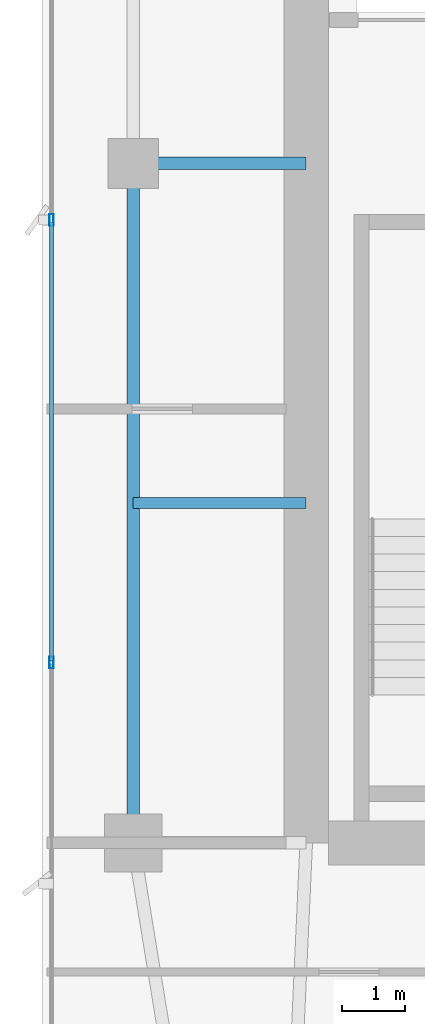
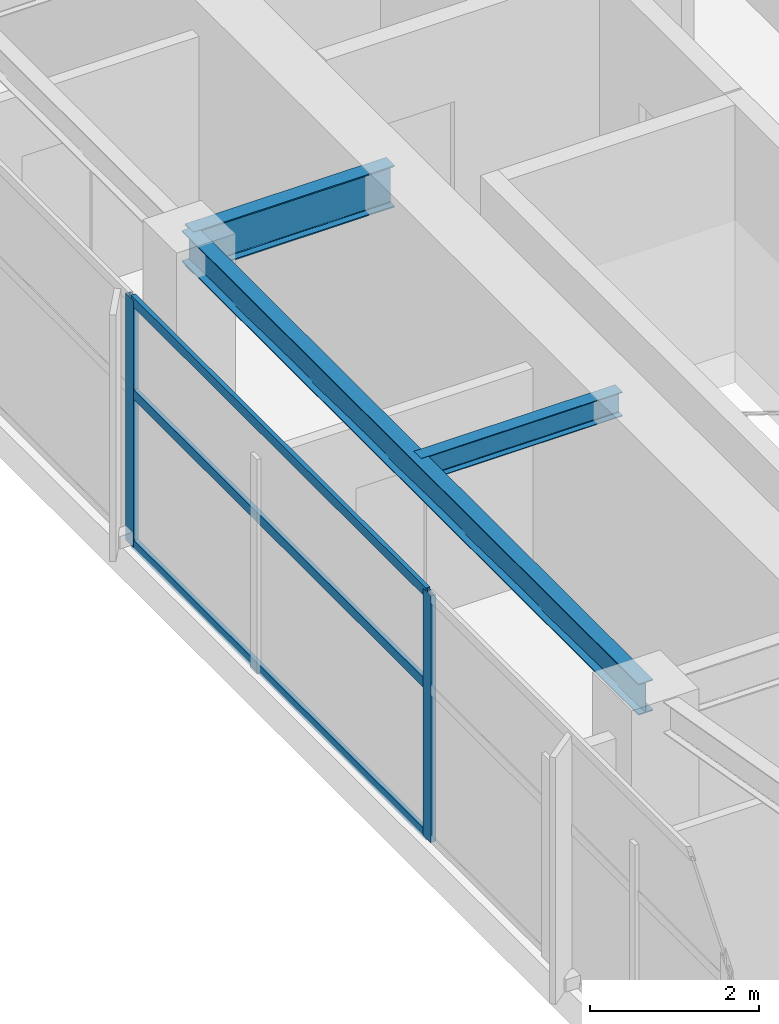
# One storey, part 8 of 29: 5 members, 3 beams, 1 element without a shape of its own.
"""IFC4 building model written with IfcOpenShell, lengths in metres."""

import ifcopenshell
import ifcopenshell.guid

model = None  # the IFC model being written
_history = None  # IfcOwnerHistory: only IFC2X3 demands one
_inside = {}  # id of a spatial element -> (the spatial element, [elements in it])
_under = {}  # id of a project, library or spatial element -> (it, [spatial elements below it])
_declared = {}  # id of a project -> (the project, [libraries it declares])
_typed = {}  # id of a type object -> (the type object, [elements of that type])
_made_of = {}  # id of a material, layer set ... -> (it, [elements and type objects made of it])


def new_model(schema):
    """Start an empty IFC model of exactly this schema.

    Asked for "IFC4X3", IfcOpenShell would pick the latest addendum, in which some entities
    have other attributes; the version numbers below select the first issue.
    IFC2X3 requires an IfcOwnerHistory on every rooted entity: one is made here for all.
    """
    global model, _history
    if schema == "IFC4X3":
        model = ifcopenshell.file(schema_version=(4, 3, 0, 0))
    else:
        model = ifcopenshell.file(schema=schema)
    _inside.clear()
    _under.clear()
    _declared.clear()
    _typed.clear()
    _made_of.clear()
    _history = None
    if model.schema == "IFC2X3":
        org = make("IfcOrganization", Name="unknown")
        user = make(
            "IfcPersonAndOrganization",
            ThePerson=make("IfcPerson", FamilyName="unknown"),
            TheOrganization=org,
        )
        app = make(
            "IfcApplication",
            ApplicationDeveloper=org,
            Version="unknown",
            ApplicationFullName="unknown",
            ApplicationIdentifier="unknown",
        )
        _history = make(
            "IfcOwnerHistory",
            OwningUser=user,
            OwningApplication=app,
            ChangeAction="ADDED",
            CreationDate=0,
        )
    return model


def make(cls, **values):
    """One entity of the class cls with the attributes given. An attribute that is None is left unset."""
    return model.create_entity(
        cls, **{name: value for name, value in values.items() if value is not None}
    )


def rooted(cls, **values):
    """An entity with a GlobalId (a new one), such as an element, a storey or a relation."""
    return make(cls, GlobalId=ifcopenshell.guid.new(), OwnerHistory=_history, **values)


def si_unit(unit_type, name, prefix=None):
    """IfcSIUnit, for example si_unit("LENGTHUNIT", "METRE", prefix="MILLI")."""
    return make("IfcSIUnit", UnitType=unit_type, Prefix=prefix, Name=name)


def assignment(units):
    """IfcUnitAssignment: the units of a project."""
    return None if units is None else make("IfcUnitAssignment", Units=units)


def point(xyz):
    """IfcCartesianPoint."""
    return None if xyz is None else make("IfcCartesianPoint", Coordinates=xyz)


def direction(xyz):
    """IfcDirection."""
    return None if xyz is None else make("IfcDirection", DirectionRatios=xyz)


def frame(location, z_axis=None, x_axis=None):
    """IfcAxis2Placement3D, a coordinate frame: its origin and axes. An axis left out is left unset."""
    return make(
        "IfcAxis2Placement3D",
        Location=point(location),
        Axis=direction(z_axis),
        RefDirection=direction(x_axis),
    )


def frame_2d(location, x_axis=None):
    """IfcAxis2Placement2D, a coordinate frame in the plane: its origin and x axis."""
    return make(
        "IfcAxis2Placement2D", Location=point(location), RefDirection=direction(x_axis)
    )


def origin():
    """The frame at (0, 0, 0) with its axes left unset."""
    return frame((0.0, 0.0, 0.0))


def origin_2d():
    """The frame at (0, 0) in the plane with its x axis left unset."""
    return frame_2d((0.0, 0.0))


def place(relative_to, where):
    """IfcLocalPlacement: puts the frame where relative to a parent placement (None: the world)."""
    return make(
        "IfcLocalPlacement", PlacementRelTo=relative_to, RelativePlacement=where
    )


def context(
    kind, dimensions, precision=None, world=None, true_north=None, identifier=None
):
    """IfcGeometricRepresentationContext, for example the 3D "Model" context."""
    return make(
        "IfcGeometricRepresentationContext",
        ContextIdentifier=identifier,
        ContextType=kind,
        CoordinateSpaceDimension=dimensions,
        Precision=precision,
        WorldCoordinateSystem=world,
        TrueNorth=true_north,
    )


def subcontext(parent, identifier, kind, view, scale=None):
    """IfcGeometricRepresentationSubContext, for example "Body" below "Model"."""
    return make(
        "IfcGeometricRepresentationSubContext",
        ContextIdentifier=identifier,
        ContextType=kind,
        ParentContext=parent,
        TargetScale=scale,
        TargetView=view,
    )


def project(units=None, contexts=None):
    """IfcProject with its units and contexts."""
    return rooted(
        "IfcProject",
        Name="project",
        RepresentationContexts=contexts,
        UnitsInContext=assignment(units),
    )


def spatial(cls, under=None, at=None, **own):
    """A site, building, storey or space (cls), placed at a placement, below another one or the project."""
    s = rooted(cls, ObjectPlacement=at, **own)
    if under is not None:
        _under.setdefault(under.id(), (under, []))[1].append(s)
    return s


def profile(cls, at=None, kind="AREA", **sizes):
    """A parametric profile (cls). Its sizes go by their IFC names, for example OverallWidth=200.0."""
    return make(cls, ProfileType=kind, Position=at, **sizes)


def hollow_rectangle(**sizes):
    """IfcRectangleHollowProfileDef."""
    return profile("IfcRectangleHollowProfileDef", **sizes)


def i_section(**sizes):
    """IfcIShapeProfileDef."""
    return profile("IfcIShapeProfileDef", **sizes)


def extrude(swept, where, along, depth):
    """IfcExtrudedAreaSolid: the profile swept, set in the frame where, extruded along a direction by depth."""
    return make(
        "IfcExtrudedAreaSolid",
        SweptArea=swept,
        Position=where,
        ExtrudedDirection=direction(along),
        Depth=depth,
    )


def shape(context_of_items, identifier, shape_type, items):
    """IfcShapeRepresentation: the items that make up one representation, for example the "Body"."""
    return make(
        "IfcShapeRepresentation",
        ContextOfItems=context_of_items,
        RepresentationIdentifier=identifier,
        RepresentationType=shape_type,
        Items=items,
    )


def material(Name=None, Category=None):
    """IfcMaterial."""
    return make("IfcMaterial", Name=Name, Category=Category)


def layer(
    of_material, thickness, ventilated=None, Name=None, Category=None, Priority=None
):
    """IfcMaterialLayer: one layer of a wall or slab, of a material (None: an air gap)."""
    return make(
        "IfcMaterialLayer",
        Material=of_material,
        LayerThickness=thickness,
        IsVentilated=ventilated,
        Name=Name,
        Category=Category,
        Priority=Priority,
    )


def layer_set(layers, Name=None):
    """IfcMaterialLayerSet."""
    return make("IfcMaterialLayerSet", MaterialLayers=layers, LayerSetName=Name)


def material_profile(
    of_material, cross_section, Name=None, Category=None, Priority=None
):
    """IfcMaterialProfile: a cross section and its material."""
    return make(
        "IfcMaterialProfile",
        Name=Name,
        Material=of_material,
        Profile=cross_section,
        Priority=Priority,
        Category=Category,
    )


def profile_set(profiles, Name=None, composite=None):
    """IfcMaterialProfileSet."""
    return make(
        "IfcMaterialProfileSet",
        Name=Name,
        MaterialProfiles=profiles,
        CompositeProfile=composite,
    )


def made_of(thing, what):
    """Note that an element or type object is made of a material, layer set ...; save() writes the relation."""
    if what is not None:
        _made_of.setdefault(what.id(), (what, []))[1].append(thing)
    return thing


def type_object(cls, material=None, **own):
    """A type object (cls), such as IfcWallType, which elements share."""
    return made_of(rooted(cls, **own), material)


def element(
    cls,
    number,
    at=None,
    inside=None,
    cuts=None,
    type_object=None,
    material=None,
    context=None,
    identifier="Body",
    shape_type=None,
    held_by="IfcProductDefinitionShape",
    body=None,
    shapes=None,
    **own,
):
    """One element of the class cls, such as IfcWall. Its Tag is "e" and its number.

    at: its placement. inside: the storey or other place that contains it. cuts: it is an
    opening in that element (IfcRelVoidsElement). A single representation is given by context,
    identifier, shape_type and body (its items); several are given by shapes. held_by: the class
    of the entity that holds the representations. save() writes the other relations.
    """
    e = rooted(cls, Tag="e%d" % number, ObjectPlacement=at, **own)
    if body is not None:
        shapes = [shape(context, identifier, shape_type, body)]
    if shapes is not None:
        e.Representation = make(held_by, Representations=shapes)
    if inside is not None:
        _inside.setdefault(inside.id(), (inside, []))[1].append(e)
    if cuts is not None:
        rooted(
            "IfcRelVoidsElement", RelatingBuildingElement=cuts, RelatedOpeningElement=e
        )
    if type_object is not None:
        _typed.setdefault(type_object.id(), (type_object, []))[1].append(e)
    return made_of(e, material)


def aggregate(whole, parts):
    """IfcRelAggregates: a whole, such as a stair, and the parts it consists of."""
    return rooted("IfcRelAggregates", RelatingObject=whole, RelatedObjects=parts)


def save(model, path):
    """Write the relations noted so far, then the file.

    IfcRelAggregates (storeys below a building ...), IfcRelContainedInSpatialStructure (elements
    in a storey), IfcRelDefinesByType, IfcRelAssociatesMaterial and IfcRelDeclares: one each for
    every whole, place, type object, material and project.
    """
    for whole, parts in _under.values():
        aggregate(whole, parts)
    for where, things in _inside.values():
        rooted(
            "IfcRelContainedInSpatialStructure",
            RelatedElements=things,
            RelatingStructure=where,
        )
    for kind, things in _typed.values():
        rooted("IfcRelDefinesByType", RelatedObjects=things, RelatingType=kind)
    for what, things in _made_of.values():
        rooted("IfcRelAssociatesMaterial", RelatedObjects=things, RelatingMaterial=what)
    for by, libraries in _declared.values():
        rooted("IfcRelDeclares", RelatingContext=by, RelatedDefinitions=libraries)
    model.write(path)


model = new_model("IFC4")

# Units and contexts
model_context = context("Model", 3, precision=1e-05, world=origin(), true_north=direction((0.0, 1.0)))
body_context = subcontext(model_context, "Body", "Model", "MODEL_VIEW")
ifc_project = project(units=[si_unit("LENGTHUNIT", "METRE"), si_unit("AREAUNIT", "SQUARE_METRE"), si_unit("VOLUMEUNIT", "CUBIC_METRE"), si_unit("PLANEANGLEUNIT", "RADIAN"), si_unit("MASSUNIT", "GRAM", prefix="KILO")], contexts=[model_context])

# Site, building, storey
site_placement = place(None, origin())
site = spatial("IfcSite", under=ifc_project, at=site_placement, CompositionType="ELEMENT")
building_placement = place(site_placement, origin())
building = spatial("IfcBuilding", under=site, at=building_placement, Name="Calvorn Quay Hotel", CompositionType="ELEMENT")
storey_placement = place(building_placement, frame((0.0, 0.0, 199.60009765625)))
storey = spatial("IfcBuildingStorey", under=building, at=storey_placement, Name="L49", CompositionType="ELEMENT", Elevation=199.60009765625)

# Beams
ifc_material_1 = material(Name="Steel Q355B", Category="steel")
ifc_material_profile_1 = material_profile(ifc_material_1, i_section(OverallWidth=0.199951171875, OverallDepth=0.60009765625, WebThickness=0.010986328125, FlangeThickness=0.01708984375, FilletRadius=0.01806640625, at=origin_2d()), Name="HN600x200x11x17")
ifc_profile_set_1 = profile_set([ifc_material_profile_1], Name="Steel Q355B")
beam_type_1 = type_object("IfcBeamType", Name="BM-GIRD-TYP", PredefinedType="BEAM", material=ifc_profile_set_1)
beam_1_placement = place(storey_placement, frame((1.449951171875, 27.60009765625, 3.239990234375), z_axis=(1.0, 0.0, 0.0), x_axis=(0.0, 1.0, 0.0)))
element("IfcBeam", 1, at=beam_1_placement, inside=storey, type_object=beam_type_1, Name="Beam BG-L49-W2", PredefinedType="BEAM", context=body_context, shape_type="SweptSolid", body=[
    extrude(i_section(OverallWidth=0.199951171875, OverallDepth=0.60009765625, WebThickness=0.010986328125, FlangeThickness=0.01708984375, FilletRadius=0.01806640625, at=origin_2d()), origin(), (0.0, 0.0, 1.0), 2.75),
])
ifc_material_2 = material(Name="Steel Q355B", Category="steel")
ifc_material_profile_2 = material_profile(ifc_material_2, i_section(OverallWidth=0.175048828125, OverallDepth=0.35009765625, WebThickness=0.007080078125, FlangeThickness=0.010986328125, FilletRadius=0.013916015625, at=origin_2d()), Name="HN350x175x7x11")
ifc_profile_set_2 = profile_set([ifc_material_profile_2], Name="Steel Q355B")
beam_type_2 = type_object("IfcBeamType", Name="BM-JOIST-SEC", PredefinedType="JOIST", material=ifc_profile_set_2)
beam_2_placement = place(storey_placement, frame((1.449951171875, 22.199951171875, 3.364990234375), z_axis=(1.0, 0.0, 0.0), x_axis=(0.0, 1.0, 0.0)))
element("IfcBeam", 2, at=beam_2_placement, inside=storey, type_object=beam_type_2, Name="Beam BJ-L49-W3", PredefinedType="JOIST", context=body_context, shape_type="SweptSolid", body=[
    extrude(i_section(OverallWidth=0.175048828125, OverallDepth=0.35009765625, WebThickness=0.007080078125, FlangeThickness=0.010986328125, FilletRadius=0.013916015625, at=origin_2d()), origin(), (0.0, 0.0, 1.0), 2.75),
])
ifc_material_3 = material(Name="Steel Q355B", Category="steel")
ifc_material_profile_3 = material_profile(ifc_material_3, i_section(OverallWidth=0.199951171875, OverallDepth=0.449951171875, WebThickness=0.009033203125, FlangeThickness=0.013916015625, FilletRadius=0.01611328125, at=origin_2d()), Name="HN450x200x9x14")
ifc_profile_set_3 = profile_set([ifc_material_profile_3], Name="Steel Q355B")
beam_type_3 = type_object("IfcBeamType", Name="BM-SPANDREL-Z3", PredefinedType="SPANDREL", material=ifc_profile_set_3)
beam_3_placement = place(storey_placement, frame((1.449951171875, 16.800048828125, 3.31494140625), z_axis=(0.0, 1.0, 0.0), x_axis=(-1.0, 0.0, 0.0)))
element("IfcBeam", 3, at=beam_3_placement, inside=storey, type_object=beam_type_3, Name="Beam BSP-L49-W2", PredefinedType="SPANDREL", context=body_context, shape_type="SweptSolid", body=[
    extrude(i_section(OverallWidth=0.199951171875, OverallDepth=0.449951171875, WebThickness=0.009033203125, FlangeThickness=0.013916015625, FilletRadius=0.01611328125, at=origin_2d()), origin(), (0.0, 0.0, 1.0), 10.800048828125),
])

# Curtain wall, members
ifc_material_4 = material(Name="Champagne Bronze Anodised Aluminium and Low-E Glass", Category="aluminium")
ifc_layer = layer(ifc_material_4, 0.219970703125)
ifc_layer_set = layer_set([ifc_layer], Name="CW-SYS-Z3")
curtain_wall_type = type_object("IfcCurtainWallType", Name="CW-SYS-Z3", PredefinedType="NOTDEFINED", material=ifc_layer_set)
curtain_wall_placement = place(storey_placement, origin())
curtain_wall = element("IfcCurtainWall", 4, at=curtain_wall_placement, inside=storey, type_object=curtain_wall_type, Name="Tower West Curtain Wall (L49)", PredefinedType="NOTDEFINED")
ifc_material_5 = material(Name="Champagne Bronze Anodised Aluminium 6063-T6", Category="aluminium")
ifc_material_profile_4 = material_profile(ifc_material_5, hollow_rectangle(XDim=0.068115234375, YDim=0.18505859375, WallThickness=0.00390625, at=origin_2d()), Name="ALU-M185x68x4")
ifc_profile_set_4 = profile_set([ifc_material_profile_4], Name="Champagne Bronze Anodised Aluminium 6063-T6")
member_type_1 = type_object("IfcMemberType", Name="CW-SYS-Z3-MUL", PredefinedType="MULLION", material=ifc_profile_set_4)
member_1_placement = place(storey_placement, frame((0.14990234375, 19.666748046875, 0.0), z_axis=(0.0, 0.0, 1.0), x_axis=(-1.0, 0.0, 0.0)))
member_1 = element("IfcMember", 5, at=member_1_placement, type_object=member_type_1, Name="CW-L49-W mullion 3", PredefinedType="MULLION", context=body_context, shape_type="SweptSolid", body=[
    extrude(hollow_rectangle(XDim=0.068115234375, YDim=0.18505859375, WallThickness=0.00390625, at=origin_2d()), origin(), (0.0, 0.0, 1.0), 3.559814453125),
])
member_2_placement = place(storey_placement, frame((0.14990234375, 26.699951171875, 0.0), z_axis=(0.0, 0.0, 1.0), x_axis=(-1.0, 0.0, 0.0)))
member_2 = element("IfcMember", 6, at=member_2_placement, type_object=member_type_1, Name="CW-L49-W mullion 4", PredefinedType="MULLION", context=body_context, shape_type="SweptSolid", body=[
    extrude(hollow_rectangle(XDim=0.068115234375, YDim=0.18505859375, WallThickness=0.00390625, at=origin_2d()), origin(), (0.0, 0.0, 1.0), 3.559814453125),
])
ifc_material_6 = material(Name="Champagne Bronze Anodised Aluminium 6063-T6", Category="aluminium")
ifc_material_profile_5 = material_profile(ifc_material_6, hollow_rectangle(XDim=0.05810546875, YDim=0.139892578125, WallThickness=0.003173828125, at=origin_2d()), Name="ALU-T140x58x3.2")
ifc_profile_set_5 = profile_set([ifc_material_profile_5], Name="Champagne Bronze Anodised Aluminium 6063-T6")
member_type_2 = type_object("IfcMemberType", Name="CW-SYS-Z3-TRN", PredefinedType="USERDEFINED", material=ifc_profile_set_5)
member_3_placement = place(storey_placement, frame((0.14990234375, 19.69677734375, 0.02978515625), z_axis=(0.0, 1.0, 0.0), x_axis=(-1.0, 0.0, 0.0)))
member_3 = element("IfcMember", 7, at=member_3_placement, type_object=member_type_2, Name="CW-L49-W transom 3.1", ObjectType="TRANSOM", PredefinedType="USERDEFINED", context=body_context, shape_type="SweptSolid", body=[
    extrude(hollow_rectangle(XDim=0.05810546875, YDim=0.139892578125, WallThickness=0.003173828125, at=origin_2d()), origin(), (0.0, 0.0, 1.0), 6.97314453125),
])
member_4_placement = place(storey_placement, frame((0.14990234375, 19.69677734375, 2.199951171875), z_axis=(0.0, 1.0, 0.0), x_axis=(-1.0, 0.0, 0.0)))
member_4 = element("IfcMember", 8, at=member_4_placement, type_object=member_type_2, Name="CW-L49-W transom 3.2", ObjectType="TRANSOM", PredefinedType="USERDEFINED", context=body_context, shape_type="SweptSolid", body=[
    extrude(hollow_rectangle(XDim=0.05810546875, YDim=0.139892578125, WallThickness=0.003173828125, at=origin_2d()), origin(), (0.0, 0.0, 1.0), 6.97314453125),
])
member_5_placement = place(storey_placement, frame((0.14990234375, 19.69677734375, 3.52978515625), z_axis=(0.0, 1.0, 0.0), x_axis=(-1.0, 0.0, 0.0)))
member_5 = element("IfcMember", 9, at=member_5_placement, type_object=member_type_2, Name="CW-L49-W transom 3.3", ObjectType="TRANSOM", PredefinedType="USERDEFINED", context=body_context, shape_type="SweptSolid", body=[
    extrude(hollow_rectangle(XDim=0.05810546875, YDim=0.139892578125, WallThickness=0.003173828125, at=origin_2d()), origin(), (0.0, 0.0, 1.0), 6.97314453125),
])
aggregate(curtain_wall, [member_1, member_2, member_3, member_4, member_5])

save(model, "model.ifc")
